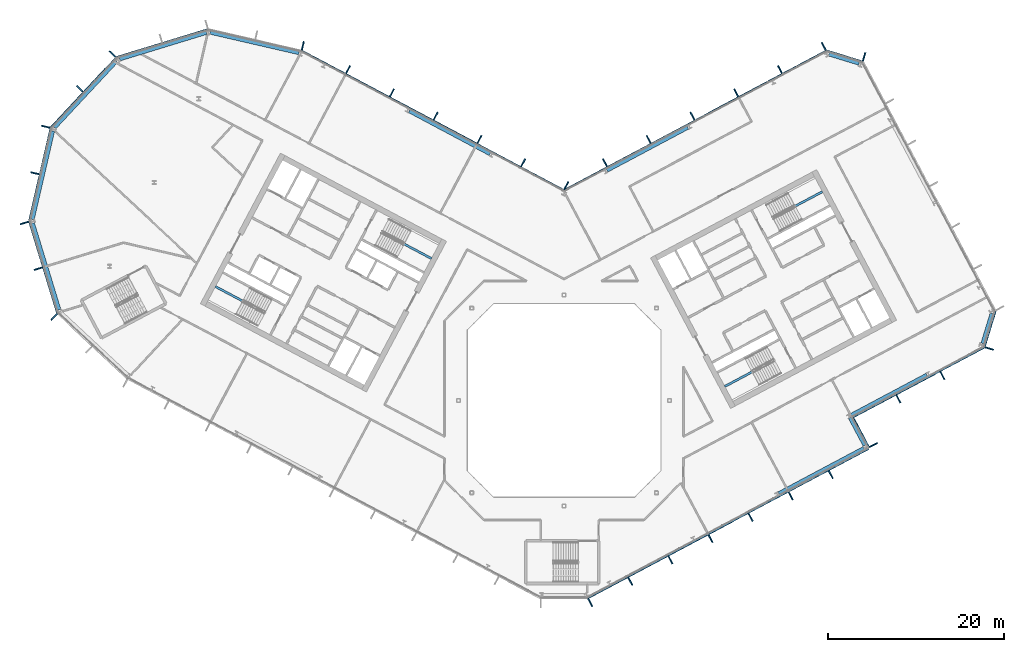
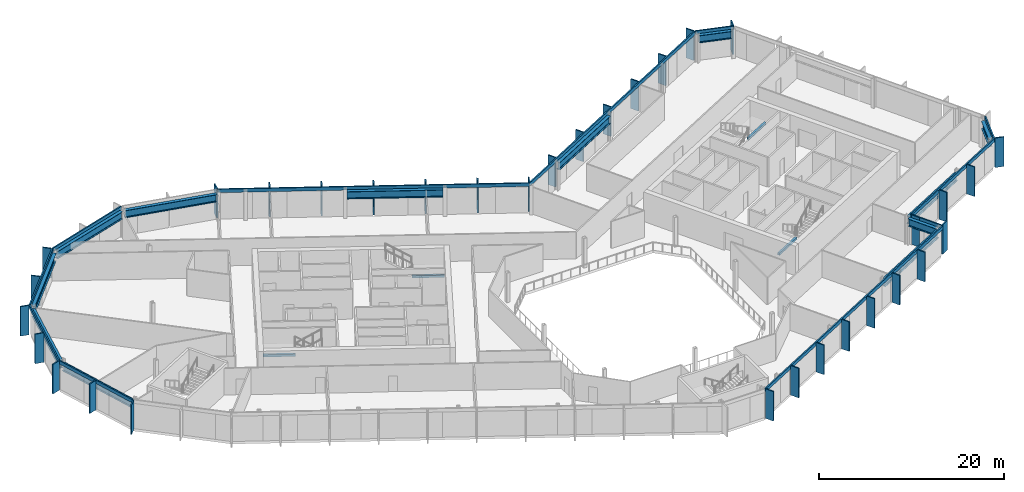
# One storey, part 9 of 27: 44 members, 16 beams, 13 elements without a shape of their own.
"""IFC4 building model written with IfcOpenShell, lengths in metres."""

from ifc_helpers import new_model, si_unit, direction, frame, origin, origin_2d, place, context, subcontext, project, spatial, rectangle, i_section, extrude, material, layer, layer_set, material_profile, profile_set, type_object, element, aggregate, save


model = new_model("IFC4")

# Units and contexts
model_context = context("Model", 3, precision=1e-05, world=origin(), true_north=direction((0.0, 1.0)))
body_context = subcontext(model_context, "Body", "Model", "MODEL_VIEW")
ifc_project = project(units=[si_unit("LENGTHUNIT", "METRE"), si_unit("AREAUNIT", "SQUARE_METRE"), si_unit("VOLUMEUNIT", "CUBIC_METRE"), si_unit("PLANEANGLEUNIT", "RADIAN"), si_unit("MASSUNIT", "GRAM", prefix="KILO")], contexts=[model_context])

# Site, building, storey
site_placement = place(None, origin())
site = spatial("IfcSite", under=ifc_project, at=site_placement, CompositionType="ELEMENT")
building_placement = place(site_placement, origin())
building = spatial("IfcBuilding", under=site, at=building_placement, Name="Cormorant Relay Tower", CompositionType="ELEMENT")
storey_placement = place(building_placement, frame((0.0, 0.0, 224.699951171875)))
storey = spatial("IfcBuildingStorey", under=building, at=storey_placement, Name="L49", CompositionType="ELEMENT", Elevation=224.699951171875)

# Curtain wall, members
ifc_material_1 = material(Name="Aluminium 6063-T6 anodised bronze", Category="aluminium")
ifc_layer = layer(ifc_material_1, 0.199951171875)
ifc_layer_set = layer_set([ifc_layer], Name="CW1 unitised bronze curtain wall with vertical fins")
curtain_wall_type = type_object("IfcCurtainWallType", Name="CW1 unitised bronze curtain wall with vertical fins", PredefinedType="NOTDEFINED", material=ifc_layer_set)
curtain_wall_1_placement = place(storey_placement, origin())
curtain_wall_1 = element("IfcCurtainWall", 1, at=curtain_wall_1_placement, inside=storey, type_object=curtain_wall_type, Name="CW1 curtain wall 2", PredefinedType="NOTDEFINED")
ifc_material_2 = material(Name="Aluminium 6063-T6 anodised bronze", Category="aluminium")
ifc_material_profile_1 = material_profile(ifc_material_2, rectangle(XDim=0.14990234375, YDim=1.0, at=origin_2d()), Name="AL 150x1000")
ifc_profile_set_1 = profile_set([ifc_material_profile_1], Name="Aluminium 6063-T6 anodised bronze")
member_type_1 = type_object("IfcMemberType", Name="CW1 bronze fin mullion 150 x 1000", PredefinedType="MULLION", material=ifc_profile_set_1)
member_1_placement = place(storey_placement, frame((2.9775390625, -22.99365234375, 0.0), z_axis=(0.0, 0.0, 1.0), x_axis=(0.882947592859, 0.469471562786, 0.0)))
member_1 = element("IfcMember", 2, at=member_1_placement, type_object=member_type_1, Name="CW1 fin 2.1", PredefinedType="MULLION", context=body_context, shape_type="SweptSolid", body=[
    extrude(rectangle(XDim=0.14990234375, YDim=1.0, at=origin_2d()), origin(), (0.0, 0.0, 1.0), 3.900146484375),
])
member_2_placement = place(storey_placement, frame((7.539306640625, -20.568115234375, 0.0), z_axis=(0.0, 0.0, 1.0), x_axis=(0.882947592859, 0.469471562786, 0.0)))
member_2 = element("IfcMember", 3, at=member_2_placement, type_object=member_type_1, Name="CW1 fin 2.2", PredefinedType="MULLION", context=body_context, shape_type="SweptSolid", body=[
    extrude(rectangle(XDim=0.14990234375, YDim=1.0, at=origin_2d()), origin(), (0.0, 0.0, 1.0), 3.900146484375),
])
member_3_placement = place(storey_placement, frame((12.10107421875, -18.142578125, 0.0), z_axis=(0.0, 0.0, 1.0), x_axis=(0.882947592859, 0.469471562786, 0.0)))
member_3 = element("IfcMember", 4, at=member_3_placement, type_object=member_type_1, Name="CW1 fin 2.3", PredefinedType="MULLION", context=body_context, shape_type="SweptSolid", body=[
    extrude(rectangle(XDim=0.14990234375, YDim=1.0, at=origin_2d()), origin(), (0.0, 0.0, 1.0), 3.900146484375),
])
member_4_placement = place(storey_placement, frame((16.662841796875, -15.717041015625, 0.0), z_axis=(0.0, 0.0, 1.0), x_axis=(0.882947592859, 0.469471562786, 0.0)))
member_4 = element("IfcMember", 5, at=member_4_placement, type_object=member_type_1, Name="CW1 fin 2.4", PredefinedType="MULLION", context=body_context, shape_type="SweptSolid", body=[
    extrude(rectangle(XDim=0.14990234375, YDim=1.0, at=origin_2d()), origin(), (0.0, 0.0, 1.0), 3.900146484375),
])
member_5_placement = place(storey_placement, frame((21.224609375, -13.29150390625, 0.0), z_axis=(0.0, 0.0, 1.0), x_axis=(0.882947592859, 0.469471562786, 0.0)))
member_5 = element("IfcMember", 6, at=member_5_placement, type_object=member_type_1, Name="CW1 fin 2.5", PredefinedType="MULLION", context=body_context, shape_type="SweptSolid", body=[
    extrude(rectangle(XDim=0.14990234375, YDim=1.0, at=origin_2d()), origin(), (0.0, 0.0, 1.0), 3.900146484375),
])
member_6_placement = place(storey_placement, frame((25.78662109375, -10.865966796875, 0.0), z_axis=(0.0, 0.0, 1.0), x_axis=(0.882947592859, 0.469471562786, 0.0)))
member_6 = element("IfcMember", 7, at=member_6_placement, type_object=member_type_1, Name="CW1 fin 2.6", PredefinedType="MULLION", context=body_context, shape_type="SweptSolid", body=[
    extrude(rectangle(XDim=0.14990234375, YDim=1.0, at=origin_2d()), origin(), (0.0, 0.0, 1.0), 3.900146484375),
])
member_7_placement = place(storey_placement, frame((30.348388671875, -8.440185546875, 0.0), z_axis=(0.0, 0.0, 1.0), x_axis=(0.882947592859, 0.469471562786, 0.0)))
member_7 = element("IfcMember", 8, at=member_7_placement, type_object=member_type_1, Name="CW1 fin 2.7", PredefinedType="MULLION", context=body_context, shape_type="SweptSolid", body=[
    extrude(rectangle(XDim=0.14990234375, YDim=1.0, at=origin_2d()), origin(), (0.0, 0.0, 1.0), 3.900146484375),
])

# Curtain wall, member
curtain_wall_2_placement = place(storey_placement, origin())
curtain_wall_2 = element("IfcCurtainWall", 9, at=curtain_wall_2_placement, inside=storey, type_object=curtain_wall_type, Name="CW1 curtain wall 3", PredefinedType="NOTDEFINED")
member_8_placement = place(storey_placement, frame((35.199462890625, -5.068115234375, 0.0), z_axis=(0.0, 0.0, 1.0), x_axis=(-0.469471562786, 0.882947592859, 0.0)))
member_8 = element("IfcMember", 10, at=member_8_placement, type_object=member_type_1, Name="CW1 fin 3.1", PredefinedType="MULLION", context=body_context, shape_type="SweptSolid", body=[
    extrude(rectangle(XDim=0.14990234375, YDim=1.0, at=origin_2d()), origin(), (0.0, 0.0, 1.0), 3.900146484375),
])

# Curtain wall, members
curtain_wall_3_placement = place(storey_placement, origin())
curtain_wall_3 = element("IfcCurtainWall", 11, at=curtain_wall_3_placement, inside=storey, type_object=curtain_wall_type, Name="CW1 curtain wall 4", PredefinedType="NOTDEFINED")
member_9_placement = place(storey_placement, frame((33.098388671875, -2.44775390625, 0.0), z_axis=(0.0, 0.0, 1.0), x_axis=(0.882947592859, 0.469471562786, 0.0)))
member_9 = element("IfcMember", 12, at=member_9_placement, type_object=member_type_1, Name="CW1 fin 4.1", PredefinedType="MULLION", context=body_context, shape_type="SweptSolid", body=[
    extrude(rectangle(XDim=0.14990234375, YDim=1.0, at=origin_2d()), origin(), (0.0, 0.0, 1.0), 3.900146484375),
])
member_10_placement = place(storey_placement, frame((38.035400390625, 0.177490234375, 0.0), z_axis=(0.0, 0.0, 1.0), x_axis=(0.882947592859, 0.469471562786, 0.0)))
member_10 = element("IfcMember", 13, at=member_10_placement, type_object=member_type_1, Name="CW1 fin 4.2", PredefinedType="MULLION", context=body_context, shape_type="SweptSolid", body=[
    extrude(rectangle(XDim=0.14990234375, YDim=1.0, at=origin_2d()), origin(), (0.0, 0.0, 1.0), 3.900146484375),
])
member_11_placement = place(storey_placement, frame((43.038818359375, 2.837646484375, 0.0), z_axis=(0.0, 0.0, 1.0), x_axis=(0.882947592859, 0.469471562786, 0.0)))
member_11 = element("IfcMember", 14, at=member_11_placement, type_object=member_type_1, Name="CW1 fin 4.3", PredefinedType="MULLION", context=body_context, shape_type="SweptSolid", body=[
    extrude(rectangle(XDim=0.14990234375, YDim=1.0, at=origin_2d()), origin(), (0.0, 0.0, 1.0), 3.900146484375),
])

# Curtain wall, member
curtain_wall_4_placement = place(storey_placement, origin())
curtain_wall_4 = element("IfcCurtainWall", 15, at=curtain_wall_4_placement, inside=storey, type_object=curtain_wall_type, Name="CW1 curtain wall 5", PredefinedType="NOTDEFINED")
member_12_placement = place(storey_placement, frame((48.383056640625, 5.91162109375, 0.0), z_axis=(0.0, 0.0, 1.0), x_axis=(0.292371704723, 0.956304755963, 0.0)))
member_12 = element("IfcMember", 16, at=member_12_placement, type_object=member_type_1, Name="CW1 fin 5.1", PredefinedType="MULLION", context=body_context, shape_type="SweptSolid", body=[
    extrude(rectangle(XDim=0.14990234375, YDim=1.0, at=origin_2d()), origin(), (0.0, 0.0, 1.0), 3.900146484375),
])

curtain_wall_5_placement = place(storey_placement, origin())
curtain_wall_5 = element("IfcCurtainWall", 17, at=curtain_wall_5_placement, inside=storey, type_object=curtain_wall_type, Name="CW1 curtain wall 7", PredefinedType="NOTDEFINED")
member_13_placement = place(storey_placement, frame((34.1357421875, 39.09716796875, 0.0), z_axis=(0.0, 0.0, 1.0), x_axis=(-0.956304755963, 0.292371704723, 0.0)))
member_13 = element("IfcMember", 18, at=member_13_placement, type_object=member_type_1, Name="CW1 fin 7.1", PredefinedType="MULLION", context=body_context, shape_type="SweptSolid", body=[
    extrude(rectangle(XDim=0.14990234375, YDim=1.0, at=origin_2d()), origin(), (0.0, 0.0, 1.0), 3.900146484375),
])

# Curtain wall, members
curtain_wall_6_placement = place(storey_placement, origin())
curtain_wall_6 = element("IfcCurtainWall", 19, at=curtain_wall_6_placement, inside=storey, type_object=curtain_wall_type, Name="CW1 curtain wall 8", PredefinedType="NOTDEFINED")
member_14_placement = place(storey_placement, frame((29.545166015625, 40.2861328125, 0.0), z_axis=(0.0, 0.0, 1.0), x_axis=(-0.882947592859, -0.469471562786, 0.0)))
member_14 = element("IfcMember", 20, at=member_14_placement, type_object=member_type_1, Name="CW1 fin 8.1", PredefinedType="MULLION", context=body_context, shape_type="SweptSolid", body=[
    extrude(rectangle(XDim=0.14990234375, YDim=1.0, at=origin_2d()), origin(), (0.0, 0.0, 1.0), 3.900146484375),
])
member_15_placement = place(storey_placement, frame((24.566162109375, 37.638916015625, 0.0), z_axis=(0.0, 0.0, 1.0), x_axis=(-0.882947592859, -0.469471562786, 0.0)))
member_15 = element("IfcMember", 21, at=member_15_placement, type_object=member_type_1, Name="CW1 fin 8.2", PredefinedType="MULLION", context=body_context, shape_type="SweptSolid", body=[
    extrude(rectangle(XDim=0.14990234375, YDim=1.0, at=origin_2d()), origin(), (0.0, 0.0, 1.0), 3.900146484375),
])
member_16_placement = place(storey_placement, frame((19.587158203125, 34.991455078125, 0.0), z_axis=(0.0, 0.0, 1.0), x_axis=(-0.882947592859, -0.469471562786, 0.0)))
member_16 = element("IfcMember", 22, at=member_16_placement, type_object=member_type_1, Name="CW1 fin 8.3", PredefinedType="MULLION", context=body_context, shape_type="SweptSolid", body=[
    extrude(rectangle(XDim=0.14990234375, YDim=1.0, at=origin_2d()), origin(), (0.0, 0.0, 1.0), 3.900146484375),
])
member_17_placement = place(storey_placement, frame((14.608154296875, 32.343994140625, 0.0), z_axis=(0.0, 0.0, 1.0), x_axis=(-0.882947592859, -0.469471562786, 0.0)))
member_17 = element("IfcMember", 23, at=member_17_placement, type_object=member_type_1, Name="CW1 fin 8.4", PredefinedType="MULLION", context=body_context, shape_type="SweptSolid", body=[
    extrude(rectangle(XDim=0.14990234375, YDim=1.0, at=origin_2d()), origin(), (0.0, 0.0, 1.0), 3.900146484375),
])
member_18_placement = place(storey_placement, frame((9.62939453125, 29.69677734375, 0.0), z_axis=(0.0, 0.0, 1.0), x_axis=(-0.882947592859, -0.469471562786, 0.0)))
member_18 = element("IfcMember", 24, at=member_18_placement, type_object=member_type_1, Name="CW1 fin 8.5", PredefinedType="MULLION", context=body_context, shape_type="SweptSolid", body=[
    extrude(rectangle(XDim=0.14990234375, YDim=1.0, at=origin_2d()), origin(), (0.0, 0.0, 1.0), 3.900146484375),
])
member_19_placement = place(storey_placement, frame((4.650390625, 27.04931640625, 0.0), z_axis=(0.0, 0.0, 1.0), x_axis=(-0.882947592859, -0.469471562786, 0.0)))
member_19 = element("IfcMember", 25, at=member_19_placement, type_object=member_type_1, Name="CW1 fin 8.6", PredefinedType="MULLION", context=body_context, shape_type="SweptSolid", body=[
    extrude(rectangle(XDim=0.14990234375, YDim=1.0, at=origin_2d()), origin(), (0.0, 0.0, 1.0), 3.900146484375),
])

curtain_wall_7_placement = place(storey_placement, origin())
curtain_wall_7 = element("IfcCurtainWall", 26, at=curtain_wall_7_placement, inside=storey, type_object=curtain_wall_type, Name="CW1 curtain wall 9", PredefinedType="NOTDEFINED")
member_20_placement = place(storey_placement, frame((0.262451171875, 24.437255859375, 0.0), z_axis=(0.0, 0.0, 1.0), x_axis=(-0.882947592859, 0.469471562786, 0.0)))
member_20 = element("IfcMember", 27, at=member_20_placement, type_object=member_type_1, Name="CW1 fin 9.1", PredefinedType="MULLION", context=body_context, shape_type="SweptSolid", body=[
    extrude(rectangle(XDim=0.14990234375, YDim=1.0, at=origin_2d()), origin(), (0.0, 0.0, 1.0), 3.900146484375),
])
member_21_placement = place(storey_placement, frame((-4.650390625, 27.04931640625, 0.0), z_axis=(0.0, 0.0, 1.0), x_axis=(-0.882947592859, 0.469471562786, 0.0)))
member_21 = element("IfcMember", 28, at=member_21_placement, type_object=member_type_1, Name="CW1 fin 9.2", PredefinedType="MULLION", context=body_context, shape_type="SweptSolid", body=[
    extrude(rectangle(XDim=0.14990234375, YDim=1.0, at=origin_2d()), origin(), (0.0, 0.0, 1.0), 3.900146484375),
])
member_22_placement = place(storey_placement, frame((-9.62939453125, 29.69677734375, 0.0), z_axis=(0.0, 0.0, 1.0), x_axis=(-0.882947592859, 0.469471562786, 0.0)))
member_22 = element("IfcMember", 29, at=member_22_placement, type_object=member_type_1, Name="CW1 fin 9.3", PredefinedType="MULLION", context=body_context, shape_type="SweptSolid", body=[
    extrude(rectangle(XDim=0.14990234375, YDim=1.0, at=origin_2d()), origin(), (0.0, 0.0, 1.0), 3.900146484375),
])
member_23_placement = place(storey_placement, frame((-14.608154296875, 32.343994140625, 0.0), z_axis=(0.0, 0.0, 1.0), x_axis=(-0.882947592859, 0.469471562786, 0.0)))
member_23 = element("IfcMember", 30, at=member_23_placement, type_object=member_type_1, Name="CW1 fin 9.4", PredefinedType="MULLION", context=body_context, shape_type="SweptSolid", body=[
    extrude(rectangle(XDim=0.14990234375, YDim=1.0, at=origin_2d()), origin(), (0.0, 0.0, 1.0), 3.900146484375),
])
member_24_placement = place(storey_placement, frame((-19.587158203125, 34.991455078125, 0.0), z_axis=(0.0, 0.0, 1.0), x_axis=(-0.882947592859, 0.469471562786, 0.0)))
member_24 = element("IfcMember", 31, at=member_24_placement, type_object=member_type_1, Name="CW1 fin 9.5", PredefinedType="MULLION", context=body_context, shape_type="SweptSolid", body=[
    extrude(rectangle(XDim=0.14990234375, YDim=1.0, at=origin_2d()), origin(), (0.0, 0.0, 1.0), 3.900146484375),
])
member_25_placement = place(storey_placement, frame((-24.566162109375, 37.638916015625, 0.0), z_axis=(0.0, 0.0, 1.0), x_axis=(-0.882947592859, 0.469471562786, 0.0)))
member_25 = element("IfcMember", 32, at=member_25_placement, type_object=member_type_1, Name="CW1 fin 9.6", PredefinedType="MULLION", context=body_context, shape_type="SweptSolid", body=[
    extrude(rectangle(XDim=0.14990234375, YDim=1.0, at=origin_2d()), origin(), (0.0, 0.0, 1.0), 3.900146484375),
])

# Curtain wall, member
curtain_wall_8_placement = place(storey_placement, origin())
curtain_wall_8 = element("IfcCurtainWall", 33, at=curtain_wall_8_placement, inside=storey, type_object=curtain_wall_type, Name="CW1 curtain wall 10", PredefinedType="NOTDEFINED")
member_26_placement = place(storey_placement, frame((-29.71630859375, 40.35009765625, 0.0), z_axis=(0.0, 0.0, 1.0), x_axis=(-0.974370064785, 0.224951054344, 0.0)))
member_26 = element("IfcMember", 34, at=member_26_placement, type_object=member_type_1, Name="CW1 fin 10.1", PredefinedType="MULLION", context=body_context, shape_type="SweptSolid", body=[
    extrude(rectangle(XDim=0.14990234375, YDim=1.0, at=origin_2d()), origin(), (0.0, 0.0, 1.0), 3.900146484375),
])
aggregate(curtain_wall_8, [member_26])

# Curtain wall, members
curtain_wall_9_placement = place(storey_placement, origin())
curtain_wall_9 = element("IfcCurtainWall", 35, at=curtain_wall_9_placement, inside=storey, type_object=curtain_wall_type, Name="CW1 curtain wall 12", PredefinedType="NOTDEFINED")
member_27_placement = place(storey_placement, frame((-51.372802734375, 39.41259765625, 0.0), z_axis=(0.0, 0.0, 1.0), x_axis=(-0.681998360062, -0.731353701619, 0.0)))
member_27 = element("IfcMember", 36, at=member_27_placement, type_object=member_type_1, Name="CW1 fin 12.1", PredefinedType="MULLION", context=body_context, shape_type="SweptSolid", body=[
    extrude(rectangle(XDim=0.14990234375, YDim=1.0, at=origin_2d()), origin(), (0.0, 0.0, 1.0), 3.900146484375),
])
member_28_placement = place(storey_placement, frame((-55.07958984375, 35.4375, 0.0), z_axis=(0.0, 0.0, 1.0), x_axis=(-0.681998360062, -0.731353701619, 0.0)))
member_28 = element("IfcMember", 37, at=member_28_placement, type_object=member_type_1, Name="CW1 fin 12.2", PredefinedType="MULLION", context=body_context, shape_type="SweptSolid", body=[
    extrude(rectangle(XDim=0.14990234375, YDim=1.0, at=origin_2d()), origin(), (0.0, 0.0, 1.0), 3.900146484375),
])

curtain_wall_10_placement = place(storey_placement, origin())
curtain_wall_10 = element("IfcCurtainWall", 38, at=curtain_wall_10_placement, inside=storey, type_object=curtain_wall_type, Name="CW1 curtain wall 13", PredefinedType="NOTDEFINED")
member_29_placement = place(storey_placement, frame((-58.95654296875, 31.142578125, 0.0), z_axis=(0.0, 0.0, 1.0), x_axis=(-0.224951054344, -0.974370064785, 0.0)))
member_29 = element("IfcMember", 39, at=member_29_placement, type_object=member_type_1, Name="CW1 fin 13.1", PredefinedType="MULLION", context=body_context, shape_type="SweptSolid", body=[
    extrude(rectangle(XDim=0.14990234375, YDim=1.0, at=origin_2d()), origin(), (0.0, 0.0, 1.0), 3.900146484375),
])
member_30_placement = place(storey_placement, frame((-60.17919921875, 25.8466796875, 0.0), z_axis=(0.0, 0.0, 1.0), x_axis=(-0.224951054344, -0.974370064785, 0.0)))
member_30 = element("IfcMember", 40, at=member_30_placement, type_object=member_type_1, Name="CW1 fin 13.2", PredefinedType="MULLION", context=body_context, shape_type="SweptSolid", body=[
    extrude(rectangle(XDim=0.14990234375, YDim=1.0, at=origin_2d()), origin(), (0.0, 0.0, 1.0), 3.900146484375),
])

curtain_wall_11_placement = place(storey_placement, origin())
curtain_wall_11 = element("IfcCurtainWall", 41, at=curtain_wall_11_placement, inside=storey, type_object=curtain_wall_type, Name="CW1 curtain wall 14", PredefinedType="NOTDEFINED")
member_31_placement = place(storey_placement, frame((-61.389404296875, 20.188720703125, 0.0), z_axis=(0.0, 0.0, 1.0), x_axis=(0.292371704723, -0.956304755963, 0.0)))
member_31 = element("IfcMember", 42, at=member_31_placement, type_object=member_type_1, Name="CW1 fin 14.1", PredefinedType="MULLION", context=body_context, shape_type="SweptSolid", body=[
    extrude(rectangle(XDim=0.14990234375, YDim=1.0, at=origin_2d()), origin(), (0.0, 0.0, 1.0), 3.900146484375),
])
member_32_placement = place(storey_placement, frame((-59.80029296875, 14.990966796875, 0.0), z_axis=(0.0, 0.0, 1.0), x_axis=(0.292371704723, -0.956304755963, 0.0)))
member_32 = element("IfcMember", 43, at=member_32_placement, type_object=member_type_1, Name="CW1 fin 14.2", PredefinedType="MULLION", context=body_context, shape_type="SweptSolid", body=[
    extrude(rectangle(XDim=0.14990234375, YDim=1.0, at=origin_2d()), origin(), (0.0, 0.0, 1.0), 3.900146484375),
])

# Curtain wall, member
curtain_wall_12_placement = place(storey_placement, origin())
curtain_wall_12 = element("IfcCurtainWall", 44, at=curtain_wall_12_placement, inside=storey, type_object=curtain_wall_type, Name="CW1 curtain wall 15", PredefinedType="NOTDEFINED")
member_33_placement = place(storey_placement, frame((-58.01904296875, 9.486083984375, 0.0), z_axis=(0.0, 0.0, 1.0), x_axis=(0.731353701619, -0.681998360062, 0.0)))
member_33 = element("IfcMember", 45, at=member_33_placement, type_object=member_type_1, Name="CW1 fin 15.1", PredefinedType="MULLION", context=body_context, shape_type="SweptSolid", body=[
    extrude(rectangle(XDim=0.14990234375, YDim=1.0, at=origin_2d()), origin(), (0.0, 0.0, 1.0), 3.900146484375),
])
aggregate(curtain_wall_12, [member_33])

# Member
ifc_material_3 = material(Name="Aluminium 6063-T6 anodised bronze", Category="aluminium")
ifc_material_profile_2 = material_profile(ifc_material_3, rectangle(XDim=0.159912109375, YDim=0.449951171875, at=origin_2d()), Name="AL 160x450")
ifc_profile_set_2 = profile_set([ifc_material_profile_2], Name="Aluminium 6063-T6 anodised bronze")
member_type_2 = type_object("IfcMemberType", Name="CW1 bronze transom 160 x 450", PredefinedType="USERDEFINED", material=ifc_profile_set_2)
member_34_placement = place(storey_placement, frame((2.705078125, -22.4814453125, 3.675048828125), z_axis=(0.882948899141, 0.469469106018, 0.0), x_axis=(-0.469469106018, 0.882948899141, 0.0)))
member_34 = element("IfcMember", 46, at=member_34_placement, type_object=member_type_2, Name="CW1 transom 2", ObjectType="TRANSOM", PredefinedType="USERDEFINED", context=body_context, shape_type="SweptSolid", body=[
    extrude(rectangle(XDim=0.159912109375, YDim=0.449951171875, at=origin_2d()), origin(), (0.0, 0.0, 1.0), 36.165771484375),
])

aggregate(curtain_wall_1, [member_1, member_2, member_3, member_4, member_5, member_6, member_7, member_34])

member_35_placement = place(storey_placement, frame((34.6875, -5.34033203125, 3.675048828125), z_axis=(-0.469485426614, 0.882940221191, 0.0), x_axis=(-0.882940221191, -0.469485426614, 0.0)))
member_35 = element("IfcMember", 47, at=member_35_placement, type_object=member_type_2, Name="CW1 transom 3", ObjectType="TRANSOM", PredefinedType="USERDEFINED", context=body_context, shape_type="SweptSolid", body=[
    extrude(rectangle(XDim=0.159912109375, YDim=0.449951171875, at=origin_2d()), origin(), (0.0, 0.0, 1.0), 4.0),
])

aggregate(curtain_wall_2, [member_8, member_35])

member_36_placement = place(storey_placement, frame((32.760009765625, -1.970947265625, 3.675048828125), z_axis=(0.882941803911, 0.469482450052, 0.0), x_axis=(-0.469482450052, 0.882941803911, 0.0)))
member_36 = element("IfcMember", 48, at=member_36_placement, type_object=member_type_2, Name="CW1 transom 4", ObjectType="TRANSOM", PredefinedType="USERDEFINED", context=body_context, shape_type="SweptSolid", body=[
    extrude(rectangle(XDim=0.159912109375, YDim=0.449951171875, at=origin_2d()), origin(), (0.0, 0.0, 1.0), 17.0),
])

aggregate(curtain_wall_3, [member_9, member_10, member_11, member_36])

member_37_placement = place(storey_placement, frame((47.828369140625, 6.0810546875, 3.675048828125), z_axis=(0.292391046905, 0.95629884225, 0.0), x_axis=(-0.95629884225, 0.292391046905, 0.0)))
member_37 = element("IfcMember", 49, at=member_37_placement, type_object=member_type_2, Name="CW1 transom 5", ObjectType="TRANSOM", PredefinedType="USERDEFINED", context=body_context, shape_type="SweptSolid", body=[
    extrude(rectangle(XDim=0.159912109375, YDim=0.449951171875, at=origin_2d()), origin(), (0.0, 0.0, 1.0), 4.242431640625),
])

aggregate(curtain_wall_4, [member_12, member_37])

member_38_placement = place(storey_placement, frame((33.966064453125, 38.54248046875, 3.675048828125), z_axis=(-0.956303761594, 0.292374957137, 0.0), x_axis=(-0.292374957137, -0.956303761594, 0.0)))
member_38 = element("IfcMember", 50, at=member_38_placement, type_object=member_type_2, Name="CW1 transom 7", ObjectType="TRANSOM", PredefinedType="USERDEFINED", context=body_context, shape_type="SweptSolid", body=[
    extrude(rectangle(XDim=0.159912109375, YDim=0.449951171875, at=origin_2d()), origin(), (0.0, 0.0, 1.0), 4.24267578125),
])

aggregate(curtain_wall_5, [member_13, member_38])

member_39_placement = place(storey_placement, frame((29.8173828125, 39.774169921875, 3.675048828125), z_axis=(-0.882946280328, -0.46947403129, 0.0), x_axis=(0.46947403129, -0.882946280328, 0.0)))
member_39 = element("IfcMember", 51, at=member_39_placement, type_object=member_type_2, Name="CW1 transom 8", ObjectType="TRANSOM", PredefinedType="USERDEFINED", context=body_context, shape_type="SweptSolid", body=[
    extrude(rectangle(XDim=0.159912109375, YDim=0.449951171875, at=origin_2d()), origin(), (0.0, 0.0, 1.0), 33.834228515625),
])

aggregate(curtain_wall_6, [member_14, member_15, member_16, member_17, member_18, member_19, member_39])

member_40_placement = place(storey_placement, frame((0.056396484375, 23.889892578125, 3.675048828125), z_axis=(-0.882946280328, 0.46947403129, 0.0), x_axis=(-0.46947403129, -0.882946280328, 0.0)))
member_40 = element("IfcMember", 52, at=member_40_placement, type_object=member_type_2, Name="CW1 transom 9", ObjectType="TRANSOM", PredefinedType="USERDEFINED", context=body_context, shape_type="SweptSolid", body=[
    extrude(rectangle(XDim=0.159912109375, YDim=0.449951171875, at=origin_2d()), origin(), (0.0, 0.0, 1.0), 33.834228515625),
])

aggregate(curtain_wall_7, [member_20, member_21, member_22, member_23, member_24, member_25, member_40])

# Curtain wall, member
curtain_wall_13_placement = place(storey_placement, origin())
curtain_wall_13 = element("IfcCurtainWall", 53, at=curtain_wall_13_placement, inside=storey, type_object=curtain_wall_type, Name="CW1 curtain wall 11", PredefinedType="NOTDEFINED")
member_41_placement = place(storey_placement, frame((-40.50048828125, 42.228271484375, 3.675048828125), z_axis=(-0.956304833932, -0.292371449698, 0.0), x_axis=(0.292371449698, -0.956304833932, 0.0)))
member_41 = element("IfcMember", 54, at=member_41_placement, type_object=member_type_2, Name="CW1 transom 11", ObjectType="TRANSOM", PredefinedType="USERDEFINED", context=body_context, shape_type="SweptSolid", body=[
    extrude(rectangle(XDim=0.159912109375, YDim=0.449951171875, at=origin_2d()), origin(), (0.0, 0.0, 1.0), 10.87060546875),
])
aggregate(curtain_wall_13, [member_41])

# Member
member_42_placement = place(storey_placement, frame((-50.94873046875, 39.01708984375, 3.675048828125), z_axis=(-0.681993299437, -0.731358420696, 0.0), x_axis=(0.731358420696, -0.681993299437, 0.0)))
member_42 = element("IfcMember", 55, at=member_42_placement, type_object=member_type_2, Name="CW1 transom 12", ObjectType="TRANSOM", PredefinedType="USERDEFINED", context=body_context, shape_type="SweptSolid", body=[
    extrude(rectangle(XDim=0.159912109375, YDim=0.449951171875, at=origin_2d()), origin(), (0.0, 0.0, 1.0), 10.870361328125),
])

aggregate(curtain_wall_9, [member_27, member_28, member_42])

member_43_placement = place(storey_placement, frame((-58.3916015625, 31.01220703125, 3.675048828125), z_axis=(-0.22495136131, -0.974369993916, 0.0), x_axis=(0.974369993916, -0.22495136131, 0.0)))
member_43 = element("IfcMember", 56, at=member_43_placement, type_object=member_type_2, Name="CW1 transom 13", ObjectType="TRANSOM", PredefinedType="USERDEFINED", context=body_context, shape_type="SweptSolid", body=[
    extrude(rectangle(XDim=0.159912109375, YDim=0.449951171875, at=origin_2d()), origin(), (0.0, 0.0, 1.0), 10.870361328125),
])

aggregate(curtain_wall_10, [member_29, member_30, member_43])

member_44_placement = place(storey_placement, frame((-60.834716796875, 20.358154296875, 3.675048828125), z_axis=(0.292377729282, -0.95630291405, 0.0), x_axis=(0.95630291405, 0.292377729282, 0.0)))
member_44 = element("IfcMember", 57, at=member_44_placement, type_object=member_type_2, Name="CW1 transom 14", ObjectType="TRANSOM", PredefinedType="USERDEFINED", context=body_context, shape_type="SweptSolid", body=[
    extrude(rectangle(XDim=0.159912109375, YDim=0.449951171875, at=origin_2d()), origin(), (0.0, 0.0, 1.0), 10.870361328125),
])

aggregate(curtain_wall_11, [member_31, member_32, member_44])

# Beams
ifc_material_4 = material(Name="Steel ASTM A992 (Fy 345 MPa)", Category="steel")
ifc_material_profile_3 = material_profile(ifc_material_4, i_section(OverallWidth=0.4013671875, OverallDepth=0.990478515625, WebThickness=0.0166015625, FlangeThickness=0.031005859375, FilletRadius=0.030029296875, at=origin_2d()), Name="W1000x320")
ifc_profile_set_3 = profile_set([ifc_material_profile_3], Name="Steel ASTM A992 (Fy 345 MPa)")
beam_type_1 = type_object("IfcBeamType", Name="Spandrel W1000x320", PredefinedType="SPANDREL", material=ifc_profile_set_3)
beam_1_placement = place(storey_placement, frame((24.423583984375, -10.5703125, 3.044677734375), z_axis=(0.882952735253, 0.469461891221, 0.0), x_axis=(-0.469461891221, 0.882952735253, 0.0)))
element("IfcBeam", 58, at=beam_1_placement, inside=storey, type_object=beam_type_1, Name="Spandrel beam L49-002", PredefinedType="SPANDREL", context=body_context, shape_type="SweptSolid", body=[
    extrude(i_section(OverallWidth=0.4013671875, OverallDepth=0.990478515625, WebThickness=0.0166015625, FlangeThickness=0.031005859375, FilletRadius=0.030029296875, at=origin_2d()), origin(), (0.0, 0.0, 1.0), 10.96142578125),
])
beam_2_placement = place(storey_placement, frame((34.20458984375, -5.115478515625, 3.044677734375), z_axis=(-0.469423552529, 0.882973118691, 0.0), x_axis=(-0.882973118691, -0.469423552529, 0.0)))
element("IfcBeam", 59, at=beam_2_placement, inside=storey, type_object=beam_type_1, Name="Spandrel beam L49-003", PredefinedType="SPANDREL", context=body_context, shape_type="SweptSolid", body=[
    extrude(i_section(OverallWidth=0.4013671875, OverallDepth=0.990478515625, WebThickness=0.0166015625, FlangeThickness=0.031005859375, FilletRadius=0.030029296875, at=origin_2d()), origin(), (0.0, 0.0, 1.0), 3.56982421875),
])
beam_3_placement = place(storey_placement, frame((32.609375, -1.687744140625, 3.044677734375), z_axis=(0.882948215634, 0.469470391515, 0.0), x_axis=(-0.469470391515, 0.882948215634, 0.0)))
element("IfcBeam", 60, at=beam_3_placement, inside=storey, type_object=beam_type_1, Name="Spandrel beam L49-004", PredefinedType="SPANDREL", context=body_context, shape_type="SweptSolid", body=[
    extrude(i_section(OverallWidth=0.4013671875, OverallDepth=0.990478515625, WebThickness=0.0166015625, FlangeThickness=0.031005859375, FilletRadius=0.030029296875, at=origin_2d()), origin(), (0.0, 0.0, 1.0), 9.79736328125),
])
for number, where, z_axis, x_axis, name in (
    (61, (47.618896484375, 6.4921875, 3.044677734375), (0.292349563537, 0.956311524923, 0.0), (-0.956311524923, 0.292349563537, 0.0), "Spandrel beam L49-005"),
    (62, (33.5546875, 38.3330078125, 3.044677734375), (-0.956311524923, 0.292349563537, 0.0), (-0.292349563537, -0.956311524923, 0.0), "Spandrel beam L49-007"),
):
    element("IfcBeam", number, at=place(storey_placement, frame(where, z_axis=z_axis, x_axis=x_axis)), inside=storey, type_object=beam_type_1, Name=name, PredefinedType="SPANDREL", context=body_context, shape_type="SweptSolid", body=[
        extrude(i_section(OverallWidth=0.4013671875, OverallDepth=0.990478515625, WebThickness=0.0166015625, FlangeThickness=0.031005859375, FilletRadius=0.030029296875, at=origin_2d()), origin(), (0.0, 0.0, 1.0), 3.59765625),
    ])
for number, where, z_axis, x_axis, name in (
    (63, (14.0732421875, 31.03955078125, 3.044677734375), (-0.882949648898, -0.469467695918, 0.0), (0.469467695918, -0.882949648898, 0.0), "Spandrel beam L49-008"),
    (64, (-8.426025390625, 28.036865234375, 3.044677734375), (-0.882949648898, 0.469467695918, 0.0), (-0.469467695918, -0.882949648898, 0.0), "Spandrel beam L49-009"),
):
    element("IfcBeam", number, at=place(storey_placement, frame(where, z_axis=z_axis, x_axis=x_axis)), inside=storey, type_object=beam_type_1, Name=name, PredefinedType="SPANDREL", context=body_context, shape_type="SweptSolid", body=[
        extrude(i_section(OverallWidth=0.4013671875, OverallDepth=0.990478515625, WebThickness=0.0166015625, FlangeThickness=0.031005859375, FilletRadius=0.030029296875, at=origin_2d()), origin(), (0.0, 0.0, 1.0), 10.39599609375),
    ])
beam_4_placement = place(storey_placement, frame((-30.1533203125, 39.526611328125, 3.044677734375), z_axis=(-0.97436619016, 0.22496783653, 0.0), x_axis=(-0.22496783653, -0.97436619016, 0.0)))
element("IfcBeam", 65, at=beam_4_placement, inside=storey, type_object=beam_type_1, Name="Spandrel beam L49-010", PredefinedType="SPANDREL", context=body_context, shape_type="SweptSolid", body=[
    extrude(i_section(OverallWidth=0.4013671875, OverallDepth=0.990478515625, WebThickness=0.0166015625, FlangeThickness=0.031005859375, FilletRadius=0.030029296875, at=origin_2d()), origin(), (0.0, 0.0, 1.0), 10.369384765625),
])
beam_5_placement = place(storey_placement, frame((-40.680419921875, 41.837890625, 3.044677734375), z_axis=(-0.956303094801, -0.292377138084, 0.0), x_axis=(0.292377138084, -0.956303094801, 0.0)))
element("IfcBeam", 66, at=beam_5_placement, inside=storey, type_object=beam_type_1, Name="Spandrel beam L49-011", PredefinedType="SPANDREL", context=body_context, shape_type="SweptSolid", body=[
    extrude(i_section(OverallWidth=0.4013671875, OverallDepth=0.990478515625, WebThickness=0.0166015625, FlangeThickness=0.031005859375, FilletRadius=0.030029296875, at=origin_2d()), origin(), (0.0, 0.0, 1.0), 10.32421875),
])
beam_6_placement = place(storey_placement, frame((-50.90966796875, 38.5888671875, 3.044677734375), z_axis=(-0.681996285296, -0.731355636365, 0.0), x_axis=(0.731355636365, -0.681996285296, 0.0)))
element("IfcBeam", 67, at=beam_6_placement, inside=storey, type_object=beam_type_1, Name="Spandrel beam L49-012", PredefinedType="SPANDREL", context=body_context, shape_type="SweptSolid", body=[
    extrude(i_section(OverallWidth=0.4013671875, OverallDepth=0.990478515625, WebThickness=0.0166015625, FlangeThickness=0.031005859375, FilletRadius=0.030029296875, at=origin_2d()), origin(), (0.0, 0.0, 1.0), 10.32275390625),
])
beam_7_placement = place(storey_placement, frame((-58.143310546875, 30.66162109375, 3.044677734375), z_axis=(-0.224957947919, -0.974368473252, 0.0), x_axis=(0.974368473252, -0.224957947919, 0.0)))
element("IfcBeam", 68, at=beam_7_placement, inside=storey, type_object=beam_type_1, Name="Spandrel beam L49-013", PredefinedType="SPANDREL", context=body_context, shape_type="SweptSolid", body=[
    extrude(i_section(OverallWidth=0.4013671875, OverallDepth=0.990478515625, WebThickness=0.0166015625, FlangeThickness=0.031005859375, FilletRadius=0.030029296875, at=origin_2d()), origin(), (0.0, 0.0, 1.0), 10.32421875),
])
beam_8_placement = place(storey_placement, frame((-60.4443359375, 20.178466796875, 3.044677734375), z_axis=(0.29236873538, -0.956305663777, 0.0), x_axis=(0.956305663777, 0.29236873538, 0.0)))
element("IfcBeam", 69, at=beam_8_placement, inside=storey, type_object=beam_type_1, Name="Spandrel beam L49-014", PredefinedType="SPANDREL", context=body_context, shape_type="SweptSolid", body=[
    extrude(i_section(OverallWidth=0.4013671875, OverallDepth=0.990478515625, WebThickness=0.0166015625, FlangeThickness=0.031005859375, FilletRadius=0.030029296875, at=origin_2d()), origin(), (0.0, 0.0, 1.0), 10.32373046875),
])
ifc_material_5 = material(Name="Concrete 50 MPa", Category="concrete")
ifc_material_profile_4 = material_profile(ifc_material_5, rectangle(XDim=0.25, YDim=0.300048828125, at=origin_2d()), Name="RC 250x300")
ifc_profile_set_4 = profile_set([ifc_material_profile_4], Name="Concrete 50 MPa")
beam_type_2 = type_object("IfcBeamType", Name="Stair landing ledge beam 250x300", PredefinedType="BEAM", material=ifc_profile_set_4)
beam_9_placement = place(storey_placement, frame((-18.219482421875, 17.813720703125, 1.60009765625), z_axis=(0.882950035608, -0.469466968614, 0.0), x_axis=(0.469466968614, 0.882950035608, 0.0)))
element("IfcBeam", 70, at=beam_9_placement, inside=storey, type_object=beam_type_2, Name="A1 landing ledge beam", PredefinedType="BEAM", context=body_context, shape_type="SweptSolid", body=[
    extrude(rectangle(XDim=0.25, YDim=0.300048828125, at=origin_2d()), origin(), (0.0, 0.0, 1.0), 3.5498046875),
])
for number, where, z_axis, x_axis, name in (
    (71, (-36.523193359375, 11.29345703125, 1.60009765625), (-0.88293668587, 0.469492075273, 0.0), (-0.469492075273, -0.88293668587, 0.0), "A2 landing ledge beam"),
    (72, (21.4248046875, 3.265380859375, 1.60009765625), (-0.88296519247, -0.469438461235, 0.0), (0.469438461235, -0.88296519247, 0.0), "B1 landing ledge beam"),
    (73, (26.25439453125, 22.0859375, 1.60009765625), (0.88296519247, 0.469438461235, 0.0), (-0.469438461235, 0.88296519247, 0.0), "B2 landing ledge beam"),
):
    element("IfcBeam", number, at=place(storey_placement, frame(where, z_axis=z_axis, x_axis=x_axis)), inside=storey, type_object=beam_type_2, Name=name, PredefinedType="BEAM", context=body_context, shape_type="SweptSolid", body=[
        extrude(rectangle(XDim=0.25, YDim=0.300048828125, at=origin_2d()), origin(), (0.0, 0.0, 1.0), 3.550048828125),
    ])

save(model, "model.ifc")
